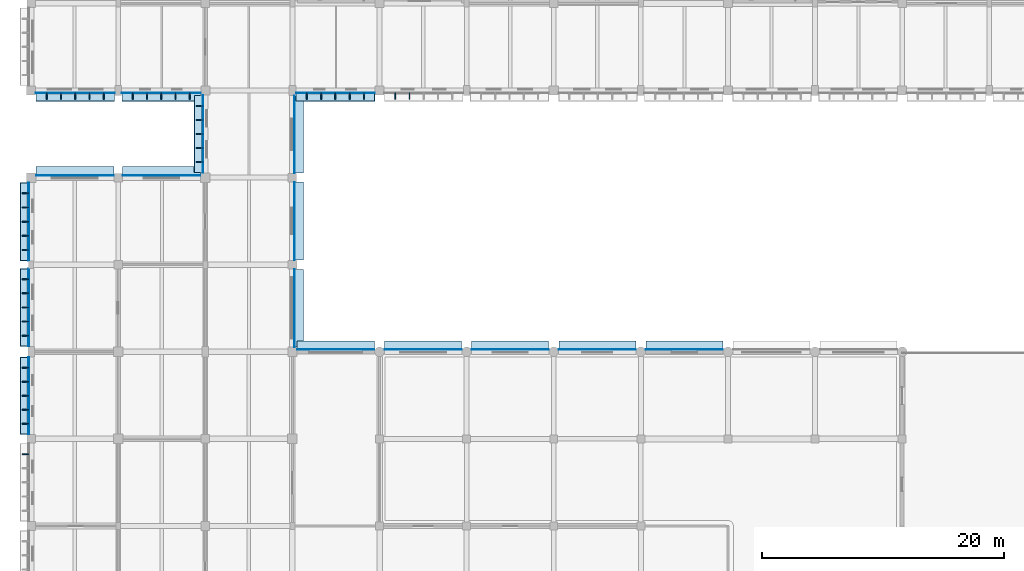
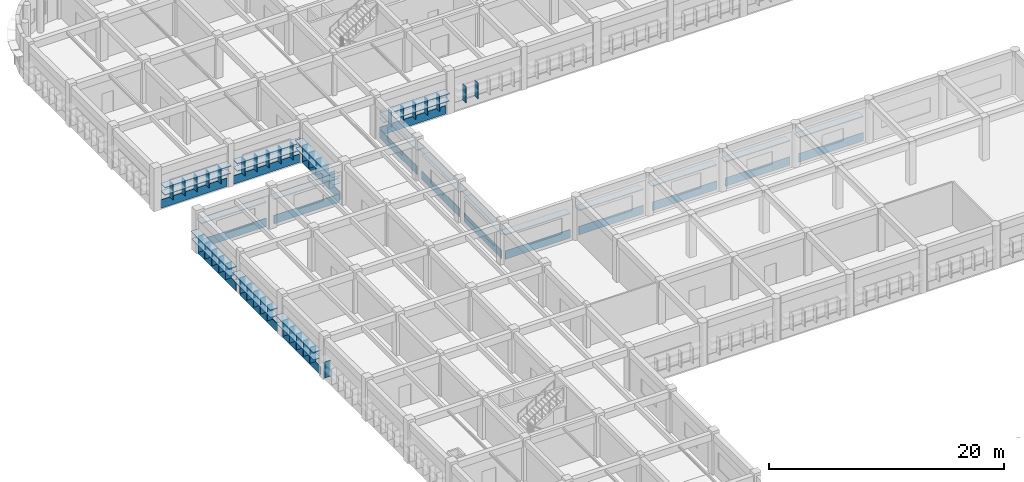
# One storey, part 23 of 61: 79 plates.
"""IFC4 building model written with IfcOpenShell, lengths in metres."""

from ifc_helpers import new_model, si_unit, direction, frame, origin, origin_2d, place, context, subcontext, project, spatial, rectangle, extrude, material, layer, layer_set, type_object, element, save


model = new_model("IFC4")

# Units and contexts
model_context = context("Model", 3, precision=1e-05, world=origin(), true_north=direction((0.0, 1.0)))
body_context = subcontext(model_context, "Body", "Model", "MODEL_VIEW")
ifc_project = project(units=[si_unit("LENGTHUNIT", "METRE"), si_unit("AREAUNIT", "SQUARE_METRE"), si_unit("VOLUMEUNIT", "CUBIC_METRE"), si_unit("PLANEANGLEUNIT", "RADIAN"), si_unit("MASSUNIT", "GRAM", prefix="KILO")], contexts=[model_context])

# Site, building, storey
site_placement = place(None, origin())
site = spatial("IfcSite", under=ifc_project, at=site_placement, CompositionType="ELEMENT")
building_placement = place(site_placement, origin())
building = spatial("IfcBuilding", under=site, at=building_placement, Name="Thalmaran Polytechnic", CompositionType="ELEMENT")
storey_placement = place(building_placement, frame((0.0, 0.0, 9.89990234375)))
storey = spatial("IfcBuildingStorey", under=building, at=storey_placement, Name="L02", CompositionType="ELEMENT", Elevation=9.89990234375)

# Plates
ifc_material_1 = material(Name="Anodised aluminium spandrel band", Category="aluminium")
ifc_layer_1 = layer(ifc_material_1, 0.054931640625, Name="Anodised aluminium spandrel band")
ifc_layer_set_1 = layer_set([ifc_layer_1], Name="Anodised aluminium spandrel band")
plate_type_1 = type_object("IfcPlateType", Name="PT-BD01", PredefinedType="SHEET", material=ifc_layer_set_1)
plate_1_placement = place(storey_placement, frame((-0.195068359375, 68.362548828125, 0.020263671875), z_axis=(0.0, 0.0, 1.0), x_axis=(0.0, 1.0, 0.0)))
element("IfcPlate", 1, at=plate_1_placement, inside=storey, type_object=plate_type_1, Name="Streamline Horizontal Spandrel Band L02-010", PredefinedType="SHEET", context=body_context, shape_type="SweptSolid", body=[
    extrude(rectangle(XDim=6.385009765625, YDim=0.054931640625, at=origin_2d()), origin(), (0.0, 0.0, 1.0), 0.8798828125),
])
plate_2_placement = place(storey_placement, frame((-0.195068359375, 75.66259765625, 0.020263671875), z_axis=(0.0, 0.0, 1.0), x_axis=(0.0, 1.0, 0.0)))
element("IfcPlate", 2, at=plate_2_placement, inside=storey, type_object=plate_type_1, Name="Streamline Horizontal Spandrel Band L02-011", PredefinedType="SHEET", context=body_context, shape_type="SweptSolid", body=[
    extrude(rectangle(XDim=6.43505859375, YDim=0.054931640625, at=origin_2d()), origin(), (0.0, 0.0, 1.0), 0.8798828125),
])
plate_3_placement = place(storey_placement, frame((-0.195068359375, 82.7548828125, 0.020263671875), z_axis=(0.0, 0.0, 1.0), x_axis=(0.0, 1.0, 0.0)))
element("IfcPlate", 3, at=plate_3_placement, inside=storey, type_object=plate_type_1, Name="Streamline Horizontal Spandrel Band L02-012", PredefinedType="SHEET", context=body_context, shape_type="SweptSolid", body=[
    extrude(rectangle(XDim=6.469970703125, YDim=0.054931640625, at=origin_2d()), origin(), (0.0, 0.0, 1.0), 0.8798828125),
])
for number, where, z_axis, x_axis, name in (
    (4, (3.6201171875, 86.580078125, 0.020263671875), (0.0, 0.0, 1.0), (1.0, 0.0, 0.0), "Streamline Horizontal Spandrel Band L02-013"),
    (5, (10.780029296875, 86.580078125, 0.020263671875), (0.0, 0.0, 1.0), (1.0, 0.0, 0.0), "Streamline Horizontal Spandrel Band L02-014"),
):
    element("IfcPlate", number, at=place(storey_placement, frame(where, z_axis=z_axis, x_axis=x_axis)), inside=storey, type_object=plate_type_1, Name=name, PredefinedType="SHEET", context=body_context, shape_type="SweptSolid", body=[
        extrude(rectangle(XDim=6.419921875, YDim=0.054931640625, at=origin_2d()), origin(), (0.0, 0.0, 1.0), 0.8798828125),
    ])
plate_4_placement = place(storey_placement, frame((14.205078125, 90.007568359375, 0.020263671875), z_axis=(0.0, 0.0, 1.0), x_axis=(0.0, 1.0, 0.0)))
element("IfcPlate", 6, at=plate_4_placement, inside=storey, type_object=plate_type_1, Name="Streamline Horizontal Spandrel Band L02-015", PredefinedType="SHEET", context=body_context, shape_type="SweptSolid", body=[
    extrude(rectangle(XDim=6.39501953125, YDim=0.054931640625, at=origin_2d()), origin(), (0.0, 0.0, 1.0), 0.8798828125),
])
for number, where, z_axis, x_axis, name in (
    (7, (10.75, 93.405029296875, 0.020263671875), (0.0, 0.0, 1.0), (-1.0, 0.0, 0.0), "Streamline Horizontal Spandrel Band L02-016"),
    (8, (3.64990234375, 93.405029296875, 0.020263671875), (0.0, 0.0, 1.0), (-1.0, 0.0, 0.0), "Streamline Horizontal Spandrel Band L02-017"),
    (9, (25.14990234375, 93.405029296875, 0.020263671875), (0.0, 0.0, 1.0), (-1.0, 0.0, 0.0), "Streamline Horizontal Spandrel Band L02-108"),
):
    element("IfcPlate", number, at=place(storey_placement, frame(where, z_axis=z_axis, x_axis=x_axis)), inside=storey, type_object=plate_type_1, Name=name, PredefinedType="SHEET", context=body_context, shape_type="SweptSolid", body=[
        extrude(rectangle(XDim=6.510009765625, YDim=0.054931640625, at=origin_2d()), origin(), (0.0, 0.0, 1.0), 0.8798828125),
    ])
plate_5_placement = place(storey_placement, frame((21.780029296875, 89.96240234375, 0.020263671875), z_axis=(0.0, 0.0, 1.0), x_axis=(0.0, -1.0, 0.0)))
element("IfcPlate", 10, at=plate_5_placement, inside=storey, type_object=plate_type_1, Name="Streamline Horizontal Spandrel Band L02-109", PredefinedType="SHEET", context=body_context, shape_type="SweptSolid", body=[
    extrude(rectangle(XDim=6.385009765625, YDim=0.054931640625, at=origin_2d()), origin(), (0.0, 0.0, 1.0), 0.8798828125),
])
plate_6_placement = place(storey_placement, frame((21.780029296875, 82.804931640625, 0.020263671875), z_axis=(0.0, 0.0, 1.0), x_axis=(0.0, -1.0, 0.0)))
element("IfcPlate", 11, at=plate_6_placement, inside=storey, type_object=plate_type_1, Name="Streamline Horizontal Spandrel Band L02-110", PredefinedType="SHEET", context=body_context, shape_type="SweptSolid", body=[
    extrude(rectangle(XDim=6.449951171875, YDim=0.054931640625, at=origin_2d()), origin(), (0.0, 0.0, 1.0), 0.8798828125),
])
plate_7_placement = place(storey_placement, frame((21.780029296875, 75.607421875, 0.020263671875), z_axis=(0.0, 0.0, 1.0), x_axis=(0.0, -1.0, 0.0)))
element("IfcPlate", 12, at=plate_7_placement, inside=storey, type_object=plate_type_1, Name="Streamline Horizontal Spandrel Band L02-111", PredefinedType="SHEET", context=body_context, shape_type="SweptSolid", body=[
    extrude(rectangle(XDim=6.425048828125, YDim=0.054931640625, at=origin_2d()), origin(), (0.0, 0.0, 1.0), 0.8798828125),
])
plate_8_placement = place(storey_placement, frame((25.1875, 72.179931640625, 0.020263671875), z_axis=(0.0, 0.0, 1.0), x_axis=(1.0, 0.0, 0.0)))
element("IfcPlate", 13, at=plate_8_placement, inside=storey, type_object=plate_type_1, Name="Streamline Horizontal Spandrel Band L02-112", PredefinedType="SHEET", context=body_context, shape_type="SweptSolid", body=[
    extrude(rectangle(XDim=6.385009765625, YDim=0.054931640625, at=origin_2d()), origin(), (0.0, 0.0, 1.0), 0.8798828125),
])
for number, where, z_axis, x_axis, name in (
    (14, (32.39990234375, 72.179931640625, 0.020263671875), (0.0, 0.0, 1.0), (1.0, 0.0, 0.0), "Streamline Horizontal Spandrel Band L02-113"),
    (15, (39.60009765625, 72.179931640625, 0.020263671875), (0.0, 0.0, 1.0), (1.0, 0.0, 0.0), "Streamline Horizontal Spandrel Band L02-114"),
    (16, (46.800048828125, 72.179931640625, 0.020263671875), (0.0, 0.0, 1.0), (1.0, 0.0, 0.0), "Streamline Horizontal Spandrel Band L02-115"),
    (17, (54.0, 72.179931640625, 0.020263671875), (0.0, 0.0, 1.0), (1.0, 0.0, 0.0), "Streamline Horizontal Spandrel Band L02-116"),
):
    element("IfcPlate", number, at=place(storey_placement, frame(where, z_axis=z_axis, x_axis=x_axis)), inside=storey, type_object=plate_type_1, Name=name, PredefinedType="SHEET", context=body_context, shape_type="SweptSolid", body=[
        extrude(rectangle(XDim=6.360107421875, YDim=0.054931640625, at=origin_2d()), origin(), (0.0, 0.0, 1.0), 0.8798828125),
    ])
ifc_material_2 = material(Name="Anodised aluminium sun-hood eyebrow", Category="aluminium")
ifc_layer_2 = layer(ifc_material_2, 0.0849609375, Name="Anodised aluminium sun-hood eyebrow")
ifc_layer_set_2 = layer_set([ifc_layer_2], Name="Anodised aluminium sun-hood eyebrow")
plate_type_2 = type_object("IfcPlateType", Name="PT-EB01", PredefinedType="SHEET", material=ifc_layer_set_2)
plate_9_placement = place(storey_placement, frame((-0.5400390625, 68.362548828125, 2.517578125), z_axis=(0.0, 0.0, 1.0), x_axis=(0.0, 1.0, 0.0)))
element("IfcPlate", 18, at=plate_9_placement, inside=storey, type_object=plate_type_2, Name="Streamline Sun-Hood Eyebrow L02-010", PredefinedType="SHEET", context=body_context, shape_type="SweptSolid", body=[
    extrude(rectangle(XDim=6.385009765625, YDim=0.760009765625, at=origin_2d()), origin(), (0.0, 0.0, 1.0), 0.0849609375),
])
plate_10_placement = place(storey_placement, frame((-0.52001953125, 68.362548828125, 1.74267578125), z_axis=(0.0, 0.0, 1.0), x_axis=(0.0, 1.0, 0.0)))
element("IfcPlate", 19, at=plate_10_placement, inside=storey, type_object=plate_type_2, Name="Abu Dhabi Horizontal Solar Louvre L02-010", PredefinedType="SHEET", context=body_context, shape_type="SweptSolid", body=[
    extrude(rectangle(XDim=6.344970703125, YDim=0.719970703125, at=origin_2d()), origin(), (0.0, 0.0, 1.0), 0.074951171875),
])
plate_11_placement = place(storey_placement, frame((-0.5400390625, 75.66259765625, 2.517578125), z_axis=(0.0, 0.0, 1.0), x_axis=(0.0, 1.0, 0.0)))
element("IfcPlate", 20, at=plate_11_placement, inside=storey, type_object=plate_type_2, Name="Streamline Sun-Hood Eyebrow L02-011", PredefinedType="SHEET", context=body_context, shape_type="SweptSolid", body=[
    extrude(rectangle(XDim=6.43505859375, YDim=0.760009765625, at=origin_2d()), origin(), (0.0, 0.0, 1.0), 0.0849609375),
])
plate_12_placement = place(storey_placement, frame((-0.52001953125, 75.66259765625, 1.74267578125), z_axis=(0.0, 0.0, 1.0), x_axis=(0.0, 1.0, 0.0)))
element("IfcPlate", 21, at=plate_12_placement, inside=storey, type_object=plate_type_2, Name="Abu Dhabi Horizontal Solar Louvre L02-011", PredefinedType="SHEET", context=body_context, shape_type="SweptSolid", body=[
    extrude(rectangle(XDim=6.39501953125, YDim=0.719970703125, at=origin_2d()), origin(), (0.0, 0.0, 1.0), 0.074951171875),
])
plate_13_placement = place(storey_placement, frame((-0.5400390625, 82.7548828125, 2.517578125), z_axis=(0.0, 0.0, 1.0), x_axis=(0.0, 1.0, 0.0)))
element("IfcPlate", 22, at=plate_13_placement, inside=storey, type_object=plate_type_2, Name="Streamline Sun-Hood Eyebrow L02-012", PredefinedType="SHEET", context=body_context, shape_type="SweptSolid", body=[
    extrude(rectangle(XDim=6.469970703125, YDim=0.760009765625, at=origin_2d()), origin(), (0.0, 0.0, 1.0), 0.0849609375),
])
plate_14_placement = place(storey_placement, frame((-0.52001953125, 82.7548828125, 1.74267578125), z_axis=(0.0, 0.0, 1.0), x_axis=(0.0, 1.0, 0.0)))
element("IfcPlate", 23, at=plate_14_placement, inside=storey, type_object=plate_type_2, Name="Abu Dhabi Horizontal Solar Louvre L02-012", PredefinedType="SHEET", context=body_context, shape_type="SweptSolid", body=[
    extrude(rectangle(XDim=6.429931640625, YDim=0.719970703125, at=origin_2d()), origin(), (0.0, 0.0, 1.0), 0.074951171875),
])
for number, where, z_axis, x_axis, name in (
    (24, (3.6201171875, 86.925048828125, 2.517578125), (0.0, 0.0, 1.0), (1.0, 0.0, 0.0), "Streamline Sun-Hood Eyebrow L02-013"),
    (25, (10.780029296875, 86.925048828125, 2.517578125), (0.0, 0.0, 1.0), (1.0, 0.0, 0.0), "Streamline Sun-Hood Eyebrow L02-014"),
):
    element("IfcPlate", number, at=place(storey_placement, frame(where, z_axis=z_axis, x_axis=x_axis)), inside=storey, type_object=plate_type_2, Name=name, PredefinedType="SHEET", context=body_context, shape_type="SweptSolid", body=[
        extrude(rectangle(XDim=6.419921875, YDim=0.760009765625, at=origin_2d()), origin(), (0.0, 0.0, 1.0), 0.0849609375),
    ])
plate_15_placement = place(storey_placement, frame((13.860107421875, 90.007568359375, 2.517578125), z_axis=(0.0, 0.0, 1.0), x_axis=(0.0, 1.0, 0.0)))
element("IfcPlate", 26, at=plate_15_placement, inside=storey, type_object=plate_type_2, Name="Streamline Sun-Hood Eyebrow L02-015", PredefinedType="SHEET", context=body_context, shape_type="SweptSolid", body=[
    extrude(rectangle(XDim=6.39501953125, YDim=0.760009765625, at=origin_2d()), origin(), (0.0, 0.0, 1.0), 0.0849609375),
])
plate_16_placement = place(storey_placement, frame((13.8798828125, 90.007568359375, 1.74267578125), z_axis=(0.0, 0.0, 1.0), x_axis=(0.0, 1.0, 0.0)))
element("IfcPlate", 27, at=plate_16_placement, inside=storey, type_object=plate_type_2, Name="Abu Dhabi Horizontal Solar Louvre L02-015", PredefinedType="SHEET", context=body_context, shape_type="SweptSolid", body=[
    extrude(rectangle(XDim=6.35498046875, YDim=0.719970703125, at=origin_2d()), origin(), (0.0, 0.0, 1.0), 0.074951171875),
])
plate_17_placement = place(storey_placement, frame((10.75, 93.06005859375, 2.517578125), z_axis=(0.0, 0.0, 1.0), x_axis=(-1.0, 0.0, 0.0)))
element("IfcPlate", 28, at=plate_17_placement, inside=storey, type_object=plate_type_2, Name="Streamline Sun-Hood Eyebrow L02-016", PredefinedType="SHEET", context=body_context, shape_type="SweptSolid", body=[
    extrude(rectangle(XDim=6.510009765625, YDim=0.760009765625, at=origin_2d()), origin(), (0.0, 0.0, 1.0), 0.0849609375),
])
plate_18_placement = place(storey_placement, frame((10.75, 93.080078125, 1.74267578125), z_axis=(0.0, 0.0, 1.0), x_axis=(-1.0, 0.0, 0.0)))
element("IfcPlate", 29, at=plate_18_placement, inside=storey, type_object=plate_type_2, Name="Abu Dhabi Horizontal Solar Louvre L02-016", PredefinedType="SHEET", context=body_context, shape_type="SweptSolid", body=[
    extrude(rectangle(XDim=6.469970703125, YDim=0.719970703125, at=origin_2d()), origin(), (0.0, 0.0, 1.0), 0.074951171875),
])
plate_19_placement = place(storey_placement, frame((3.64990234375, 93.06005859375, 2.517578125), z_axis=(0.0, 0.0, 1.0), x_axis=(-1.0, 0.0, 0.0)))
element("IfcPlate", 30, at=plate_19_placement, inside=storey, type_object=plate_type_2, Name="Streamline Sun-Hood Eyebrow L02-017", PredefinedType="SHEET", context=body_context, shape_type="SweptSolid", body=[
    extrude(rectangle(XDim=6.510009765625, YDim=0.760009765625, at=origin_2d()), origin(), (0.0, 0.0, 1.0), 0.0849609375),
])
plate_20_placement = place(storey_placement, frame((3.64990234375, 93.080078125, 1.74267578125), z_axis=(0.0, 0.0, 1.0), x_axis=(-1.0, 0.0, 0.0)))
element("IfcPlate", 31, at=plate_20_placement, inside=storey, type_object=plate_type_2, Name="Abu Dhabi Horizontal Solar Louvre L02-017", PredefinedType="SHEET", context=body_context, shape_type="SweptSolid", body=[
    extrude(rectangle(XDim=6.469970703125, YDim=0.719970703125, at=origin_2d()), origin(), (0.0, 0.0, 1.0), 0.074951171875),
])
plate_21_placement = place(storey_placement, frame((25.14990234375, 93.06005859375, 2.517578125), z_axis=(0.0, 0.0, 1.0), x_axis=(-1.0, 0.0, 0.0)))
element("IfcPlate", 32, at=plate_21_placement, inside=storey, type_object=plate_type_2, Name="Streamline Sun-Hood Eyebrow L02-108", PredefinedType="SHEET", context=body_context, shape_type="SweptSolid", body=[
    extrude(rectangle(XDim=6.510009765625, YDim=0.760009765625, at=origin_2d()), origin(), (0.0, 0.0, 1.0), 0.0849609375),
])
plate_22_placement = place(storey_placement, frame((25.14990234375, 93.080078125, 1.74267578125), z_axis=(0.0, 0.0, 1.0), x_axis=(-1.0, 0.0, 0.0)))
element("IfcPlate", 33, at=plate_22_placement, inside=storey, type_object=plate_type_2, Name="Abu Dhabi Horizontal Solar Louvre L02-108", PredefinedType="SHEET", context=body_context, shape_type="SweptSolid", body=[
    extrude(rectangle(XDim=6.469970703125, YDim=0.719970703125, at=origin_2d()), origin(), (0.0, 0.0, 1.0), 0.074951171875),
])
plate_23_placement = place(storey_placement, frame((22.125, 89.96240234375, 2.517578125), z_axis=(0.0, 0.0, 1.0), x_axis=(0.0, -1.0, 0.0)))
element("IfcPlate", 34, at=plate_23_placement, inside=storey, type_object=plate_type_2, Name="Streamline Sun-Hood Eyebrow L02-109", PredefinedType="SHEET", context=body_context, shape_type="SweptSolid", body=[
    extrude(rectangle(XDim=6.385009765625, YDim=0.760009765625, at=origin_2d()), origin(), (0.0, 0.0, 1.0), 0.0849609375),
])
plate_24_placement = place(storey_placement, frame((22.125, 82.804931640625, 2.517578125), z_axis=(0.0, 0.0, 1.0), x_axis=(0.0, -1.0, 0.0)))
element("IfcPlate", 35, at=plate_24_placement, inside=storey, type_object=plate_type_2, Name="Streamline Sun-Hood Eyebrow L02-110", PredefinedType="SHEET", context=body_context, shape_type="SweptSolid", body=[
    extrude(rectangle(XDim=6.449951171875, YDim=0.760009765625, at=origin_2d()), origin(), (0.0, 0.0, 1.0), 0.0849609375),
])
plate_25_placement = place(storey_placement, frame((22.125, 75.607421875, 2.517578125), z_axis=(0.0, 0.0, 1.0), x_axis=(0.0, -1.0, 0.0)))
element("IfcPlate", 36, at=plate_25_placement, inside=storey, type_object=plate_type_2, Name="Streamline Sun-Hood Eyebrow L02-111", PredefinedType="SHEET", context=body_context, shape_type="SweptSolid", body=[
    extrude(rectangle(XDim=6.425048828125, YDim=0.760009765625, at=origin_2d()), origin(), (0.0, 0.0, 1.0), 0.0849609375),
])
plate_26_placement = place(storey_placement, frame((25.1875, 72.52490234375, 2.517578125), z_axis=(0.0, 0.0, 1.0), x_axis=(1.0, 0.0, 0.0)))
element("IfcPlate", 37, at=plate_26_placement, inside=storey, type_object=plate_type_2, Name="Streamline Sun-Hood Eyebrow L02-112", PredefinedType="SHEET", context=body_context, shape_type="SweptSolid", body=[
    extrude(rectangle(XDim=6.385009765625, YDim=0.760009765625, at=origin_2d()), origin(), (0.0, 0.0, 1.0), 0.0849609375),
])
for number, where, z_axis, x_axis, name in (
    (38, (32.39990234375, 72.52490234375, 2.517578125), (0.0, 0.0, 1.0), (1.0, 0.0, 0.0), "Streamline Sun-Hood Eyebrow L02-113"),
    (39, (39.60009765625, 72.52490234375, 2.517578125), (0.0, 0.0, 1.0), (1.0, 0.0, 0.0), "Streamline Sun-Hood Eyebrow L02-114"),
    (40, (46.800048828125, 72.52490234375, 2.517578125), (0.0, 0.0, 1.0), (1.0, 0.0, 0.0), "Streamline Sun-Hood Eyebrow L02-115"),
    (41, (54.0, 72.52490234375, 2.517578125), (0.0, 0.0, 1.0), (1.0, 0.0, 0.0), "Streamline Sun-Hood Eyebrow L02-116"),
):
    element("IfcPlate", number, at=place(storey_placement, frame(where, z_axis=z_axis, x_axis=x_axis)), inside=storey, type_object=plate_type_2, Name=name, PredefinedType="SHEET", context=body_context, shape_type="SweptSolid", body=[
        extrude(rectangle(XDim=6.360107421875, YDim=0.760009765625, at=origin_2d()), origin(), (0.0, 0.0, 1.0), 0.0849609375),
    ])
ifc_material_3 = material(Name="Anodised bronze brise-soleil fin")
ifc_layer_3 = layer(ifc_material_3, 0.06494140625, Name="Anodised bronze brise-soleil fin")
ifc_layer_set_3 = layer_set([ifc_layer_3], Name="Anodised bronze brise-soleil fin")
plate_type_3 = type_object("IfcPlateType", Name="PT-FN01", PredefinedType="SHEET", material=ifc_layer_set_3)
for number, where, z_axis, x_axis, name in (
    (42, (-0.4599609375, 63.54150390625, 0.895263671875), (0.0, 0.0, 1.0), (0.0, 1.0, 0.0), "Abu Dhabi Solar Brise-Soleil Fin L02-009-5"),
    (43, (-0.4599609375, 66.049560546875, 0.895263671875), (0.0, 0.0, 1.0), (0.0, 1.0, 0.0), "Abu Dhabi Solar Brise-Soleil Fin L02-010-1"),
    (44, (-0.4599609375, 67.2060546875, 0.895263671875), (0.0, 0.0, 1.0), (0.0, 1.0, 0.0), "Abu Dhabi Solar Brise-Soleil Fin L02-010-2"),
    (45, (-0.4599609375, 68.362548828125, 0.895263671875), (0.0, 0.0, 1.0), (0.0, 1.0, 0.0), "Abu Dhabi Solar Brise-Soleil Fin L02-010-3"),
    (46, (-0.4599609375, 69.51904296875, 0.895263671875), (0.0, 0.0, 1.0), (0.0, 1.0, 0.0), "Abu Dhabi Solar Brise-Soleil Fin L02-010-4"),
    (47, (-0.4599609375, 70.675537109375, 0.895263671875), (0.0, 0.0, 1.0), (0.0, 1.0, 0.0), "Abu Dhabi Solar Brise-Soleil Fin L02-010-5"),
    (48, (-0.4599609375, 73.33154296875, 0.895263671875), (0.0, 0.0, 1.0), (0.0, 1.0, 0.0), "Abu Dhabi Solar Brise-Soleil Fin L02-011-1"),
    (49, (-0.4599609375, 74.4970703125, 0.895263671875), (0.0, 0.0, 1.0), (0.0, 1.0, 0.0), "Abu Dhabi Solar Brise-Soleil Fin L02-011-2"),
    (50, (-0.4599609375, 75.66259765625, 0.895263671875), (0.0, 0.0, 1.0), (0.0, 1.0, 0.0), "Abu Dhabi Solar Brise-Soleil Fin L02-011-3"),
    (51, (-0.4599609375, 76.827880859375, 0.895263671875), (0.0, 0.0, 1.0), (0.0, 1.0, 0.0), "Abu Dhabi Solar Brise-Soleil Fin L02-011-4"),
    (52, (-0.4599609375, 77.993408203125, 0.895263671875), (0.0, 0.0, 1.0), (0.0, 1.0, 0.0), "Abu Dhabi Solar Brise-Soleil Fin L02-011-5"),
    (53, (-0.4599609375, 80.411376953125, 0.895263671875), (0.0, 0.0, 1.0), (0.0, 1.0, 0.0), "Abu Dhabi Solar Brise-Soleil Fin L02-012-1"),
    (54, (-0.4599609375, 81.583251953125, 0.895263671875), (0.0, 0.0, 1.0), (0.0, 1.0, 0.0), "Abu Dhabi Solar Brise-Soleil Fin L02-012-2"),
    (55, (-0.4599609375, 82.7548828125, 0.895263671875), (0.0, 0.0, 1.0), (0.0, 1.0, 0.0), "Abu Dhabi Solar Brise-Soleil Fin L02-012-3"),
    (56, (-0.4599609375, 83.9267578125, 0.895263671875), (0.0, 0.0, 1.0), (0.0, 1.0, 0.0), "Abu Dhabi Solar Brise-Soleil Fin L02-012-4"),
    (57, (-0.4599609375, 85.0986328125, 0.895263671875), (0.0, 0.0, 1.0), (0.0, 1.0, 0.0), "Abu Dhabi Solar Brise-Soleil Fin L02-012-5"),
    (58, (13.93994140625, 87.69091796875, 0.895263671875), (0.0, 0.0, 1.0), (0.0, 1.0, 0.0), "Abu Dhabi Solar Brise-Soleil Fin L02-015-1"),
    (59, (13.93994140625, 88.84912109375, 0.895263671875), (0.0, 0.0, 1.0), (0.0, 1.0, 0.0), "Abu Dhabi Solar Brise-Soleil Fin L02-015-2"),
    (60, (13.93994140625, 90.007568359375, 0.895263671875), (0.0, 0.0, 1.0), (0.0, 1.0, 0.0), "Abu Dhabi Solar Brise-Soleil Fin L02-015-3"),
    (61, (13.93994140625, 91.165771484375, 0.895263671875), (0.0, 0.0, 1.0), (0.0, 1.0, 0.0), "Abu Dhabi Solar Brise-Soleil Fin L02-015-4"),
    (62, (13.93994140625, 92.32421875, 0.895263671875), (0.0, 0.0, 1.0), (0.0, 1.0, 0.0), "Abu Dhabi Solar Brise-Soleil Fin L02-015-5"),
    (63, (13.10791015625, 93.139892578125, 0.895263671875), (0.0, 0.0, 1.0), (-1.0, 0.0, 0.0), "Abu Dhabi Solar Brise-Soleil Fin L02-016-1"),
    (64, (11.928955078125, 93.139892578125, 0.895263671875), (0.0, 0.0, 1.0), (-1.0, 0.0, 0.0), "Abu Dhabi Solar Brise-Soleil Fin L02-016-2"),
    (65, (10.75, 93.139892578125, 0.895263671875), (0.0, 0.0, 1.0), (-1.0, 0.0, 0.0), "Abu Dhabi Solar Brise-Soleil Fin L02-016-3"),
    (66, (9.571044921875, 93.139892578125, 0.895263671875), (0.0, 0.0, 1.0), (-1.0, 0.0, 0.0), "Abu Dhabi Solar Brise-Soleil Fin L02-016-4"),
    (67, (8.39208984375, 93.139892578125, 0.895263671875), (0.0, 0.0, 1.0), (-1.0, 0.0, 0.0), "Abu Dhabi Solar Brise-Soleil Fin L02-016-5"),
    (68, (6.008056640625, 93.139892578125, 0.895263671875), (0.0, 0.0, 1.0), (-1.0, 0.0, 0.0), "Abu Dhabi Solar Brise-Soleil Fin L02-017-1"),
    (69, (4.8291015625, 93.139892578125, 0.895263671875), (0.0, 0.0, 1.0), (-1.0, 0.0, 0.0), "Abu Dhabi Solar Brise-Soleil Fin L02-017-2"),
    (70, (3.64990234375, 93.139892578125, 0.895263671875), (0.0, 0.0, 1.0), (-1.0, 0.0, 0.0), "Abu Dhabi Solar Brise-Soleil Fin L02-017-3"),
    (71, (2.470947265625, 93.139892578125, 0.895263671875), (0.0, 0.0, 1.0), (-1.0, 0.0, 0.0), "Abu Dhabi Solar Brise-Soleil Fin L02-017-4"),
    (72, (1.2919921875, 93.139892578125, 0.895263671875), (0.0, 0.0, 1.0), (-1.0, 0.0, 0.0), "Abu Dhabi Solar Brise-Soleil Fin L02-017-5"),
    (73, (31.27099609375, 93.139892578125, 0.895263671875), (0.0, 0.0, 1.0), (-1.0, 0.0, 0.0), "Abu Dhabi Solar Brise-Soleil Fin L02-107-4"),
    (74, (30.092041015625, 93.139892578125, 0.895263671875), (0.0, 0.0, 1.0), (-1.0, 0.0, 0.0), "Abu Dhabi Solar Brise-Soleil Fin L02-107-5"),
    (75, (27.508056640625, 93.139892578125, 0.895263671875), (0.0, 0.0, 1.0), (-1.0, 0.0, 0.0), "Abu Dhabi Solar Brise-Soleil Fin L02-108-1"),
    (76, (26.3291015625, 93.139892578125, 0.895263671875), (0.0, 0.0, 1.0), (-1.0, 0.0, 0.0), "Abu Dhabi Solar Brise-Soleil Fin L02-108-2"),
    (77, (25.14990234375, 93.139892578125, 0.895263671875), (0.0, 0.0, 1.0), (-1.0, 0.0, 0.0), "Abu Dhabi Solar Brise-Soleil Fin L02-108-3"),
    (78, (23.970947265625, 93.139892578125, 0.895263671875), (0.0, 0.0, 1.0), (-1.0, 0.0, 0.0), "Abu Dhabi Solar Brise-Soleil Fin L02-108-4"),
    (79, (22.7919921875, 93.139892578125, 0.895263671875), (0.0, 0.0, 1.0), (-1.0, 0.0, 0.0), "Abu Dhabi Solar Brise-Soleil Fin L02-108-5"),
):
    element("IfcPlate", number, at=place(storey_placement, frame(where, z_axis=z_axis, x_axis=x_axis)), inside=storey, type_object=plate_type_3, Name=name, PredefinedType="SHEET", context=body_context, shape_type="SweptSolid", body=[
        extrude(rectangle(XDim=0.06494140625, YDim=0.56005859375, at=origin_2d()), origin(), (0.0, 0.0, 1.0), 1.64990234375),
    ])

save(model, "model.ifc")
